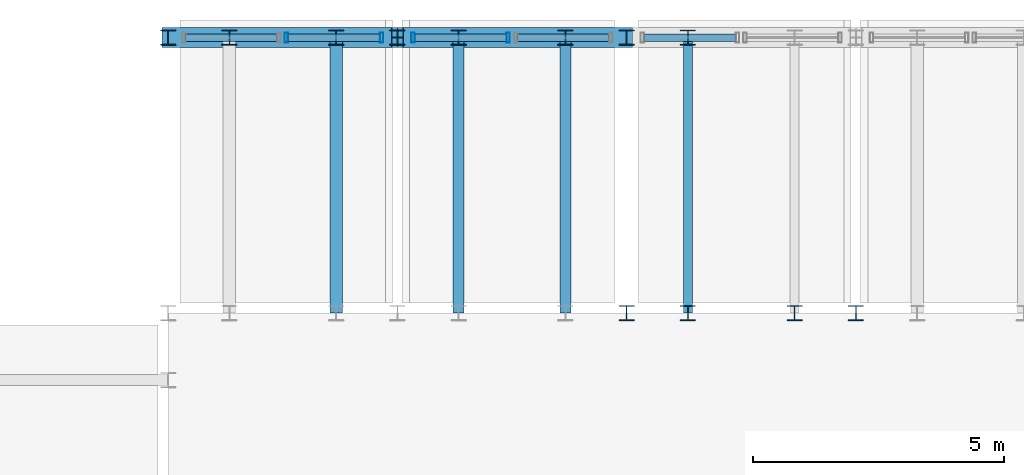
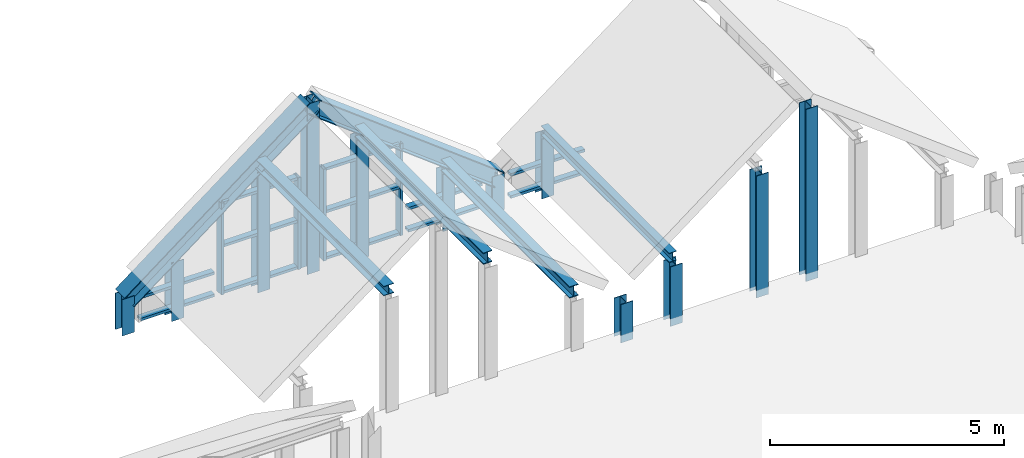
# One storey, part 9 of 21: 34 members, 5 elements without a shape of their own.
"""IFC4 building model written with IfcOpenShell, lengths in metres."""

from ifc_helpers import new_model, si_unit, direction, frame, origin, origin_2d, place, context, subcontext, project, spatial, hollow_rectangle, i_section, extrude, source, transform, mapped, material, layer, layer_set, material_profile, profile_set, type_object, element, aggregate, save


model = new_model("IFC4")

# Units and contexts
model_context = context("Model", 3, precision=1e-05, world=origin(), true_north=direction((0.0, 1.0)))
body_context = subcontext(model_context, "Body", "Model", "MODEL_VIEW")
ifc_project = project(units=[si_unit("LENGTHUNIT", "METRE"), si_unit("AREAUNIT", "SQUARE_METRE"), si_unit("VOLUMEUNIT", "CUBIC_METRE"), si_unit("PLANEANGLEUNIT", "RADIAN"), si_unit("MASSUNIT", "GRAM", prefix="KILO")], contexts=[model_context])

# Site, building, storey
site_placement = place(None, origin())
site = spatial("IfcSite", under=ifc_project, at=site_placement, CompositionType="ELEMENT")
building_placement = place(site_placement, origin())
building = spatial("IfcBuilding", under=site, at=building_placement, Name="Saelheon Loggia Tower", CompositionType="ELEMENT")
storey_placement = place(building_placement, frame((0.0, 0.0, 275.0)))
storey = spatial("IfcBuildingStorey", under=building, at=storey_placement, Name="ROOF", CompositionType="ELEMENT", Elevation=275.0)

# Members
ifc_material_1 = material(Name="Steel SM355", Category="steel")
ifc_material_profile_1 = material_profile(ifc_material_1, i_section(OverallWidth=0.300048828125, OverallDepth=0.300048828125, WebThickness=0.010009765625, FlangeThickness=0.014892578125, at=origin_2d()), Name="H-300x300x10x15")
ifc_profile_set_1 = profile_set([ifc_material_profile_1], Name="Steel SM355")
member_type_1 = type_object("IfcMemberType", Name="WaveCrest_Post_H300", PredefinedType="POST", material=ifc_profile_set_1)
shared_shape_1 = source(origin(), body_context, "Body", "SweptSolid", [
    extrude(i_section(OverallWidth=0.300048828125, OverallDepth=0.300048828125, WebThickness=0.010009765625, FlangeThickness=0.014892578125, at=origin_2d()), origin(), (0.0, 0.0, 1.0), 0.949951171875),
])
for number, where, z_axis, x_axis, name in (
    (1, (28.85009765625, 47.64990234375, -0.14990234375), (0.0, 0.0, 1.0), (1.0, 0.0, 0.0), "ROOF Wave Crest Outer Post N 00"),
    (2, (38.0, 47.64990234375, -0.14990234375), (0.0, 0.0, 1.0), (1.0, 0.0, 0.0), "ROOF Wave Crest Outer Post N 02"),
):
    element("IfcMember", number, at=place(storey_placement, frame(where, z_axis=z_axis, x_axis=x_axis)), inside=storey, type_object=member_type_1, Name=name, PredefinedType="POST", context=body_context, shape_type="MappedRepresentation", body=[
        mapped(shared_shape_1, transform((0.0, 0.0, 0.0), scale=1.0)),
    ])
ifc_material_profile_2 = material_profile(ifc_material_1, i_section(OverallWidth=0.300048828125, OverallDepth=0.300048828125, WebThickness=0.010009765625, FlangeThickness=0.014892578125, at=origin_2d()), Name="H-300x300x10x15")
ifc_profile_set_2 = profile_set([ifc_material_profile_2], Name="Steel SM355")
member_type_2 = type_object("IfcMemberType", Name="Belt_Post_H300", PredefinedType="POST", material=ifc_profile_set_2)
shared_shape_2 = source(origin(), body_context, "Body", "SweptSolid", [
    extrude(i_section(OverallWidth=0.300048828125, OverallDepth=0.300048828125, WebThickness=0.010009765625, FlangeThickness=0.014892578125, at=origin_2d()), origin(), (0.0, 0.0, 1.0), 1.0),
])
member_1_placement = place(storey_placement, frame((38.0, 42.14990234375, -0.199951171875), z_axis=(0.0, 0.0, 1.0), x_axis=(1.0, 0.0, 0.0)))
element("IfcMember", 3, at=member_1_placement, inside=storey, type_object=member_type_2, Name="ROOF Wave Crest Inner Post N 02", PredefinedType="POST", context=body_context, shape_type="MappedRepresentation", body=[
    mapped(shared_shape_2, transform((0.0, 0.0, 0.0), scale=1.0)),
])
shared_shape_3 = source(origin(), body_context, "Body", "SweptSolid", [
    extrude(i_section(OverallWidth=0.300048828125, OverallDepth=0.300048828125, WebThickness=0.010009765625, FlangeThickness=0.014892578125, at=origin_2d()), origin(), (0.0, 0.0, 1.0), 4.449951171875),
])
member_2_placement = place(storey_placement, frame((33.425048828125, 47.64990234375, -0.14990234375), z_axis=(0.0, 0.0, 1.0), x_axis=(1.0, 0.0, 0.0)))
element("IfcMember", 4, at=member_2_placement, inside=storey, type_object=member_type_1, Name="ROOF Wave Crest Outer Post N 01", PredefinedType="POST", context=body_context, shape_type="MappedRepresentation", body=[
    mapped(shared_shape_3, transform((0.0, 0.0, 0.0), scale=1.0)),
])
shared_shape_4 = source(origin(), body_context, "Body", "SweptSolid", [
    extrude(i_section(OverallWidth=0.300048828125, OverallDepth=0.300048828125, WebThickness=0.010009765625, FlangeThickness=0.014892578125, at=origin_2d()), origin(), (0.0, 0.0, 1.0), 4.5),
])
member_3_placement = place(storey_placement, frame((42.574951171875, 42.14990234375, -0.199951171875), z_axis=(0.0, 0.0, 1.0), x_axis=(1.0, 0.0, 0.0)))
element("IfcMember", 5, at=member_3_placement, inside=storey, type_object=member_type_2, Name="ROOF Wave Crest Inner Post N 03", PredefinedType="POST", context=body_context, shape_type="MappedRepresentation", body=[
    mapped(shared_shape_4, transform((0.0, 0.0, 0.0), scale=1.0)),
])
ifc_material_profile_3 = material_profile(ifc_material_1, i_section(OverallWidth=0.179931640625, OverallDepth=0.25, WebThickness=0.010009765625, FlangeThickness=0.01611328125, at=origin_2d()), Name="H-250x180x10x16")
ifc_profile_set_3 = profile_set([ifc_material_profile_3], Name="Steel SM355")
member_type_3 = type_object("IfcMemberType", Name="Roof_Purlin_RHS250", PredefinedType="PURLIN", material=ifc_profile_set_3)
shared_shape_5 = source(origin(), body_context, "Body", "SweptSolid", [
    extrude(i_section(OverallWidth=0.179931640625, OverallDepth=0.25, WebThickness=0.010009765625, FlangeThickness=0.01611328125, at=origin_2d()), origin(), (0.0, 0.0, 1.0), 5.5),
])
member_4_placement = place(storey_placement, frame((39.222900390625, 47.64990234375, 1.4814453125), z_axis=(0.0, -1.0, 0.0), x_axis=(1.0, 0.0, 0.0)))
element("IfcMember", 6, at=member_4_placement, inside=storey, type_object=member_type_3, Name="Crown Wave Roof Purlin 19 A", PredefinedType="PURLIN", context=body_context, shape_type="MappedRepresentation", body=[
    mapped(shared_shape_5, transform((0.0, 0.0, 0.0), scale=1.0)),
])
ifc_material_profile_4 = material_profile(ifc_material_1, i_section(OverallWidth=0.25, OverallDepth=0.25, WebThickness=0.009033203125, FlangeThickness=0.013916015625, at=origin_2d()), Name="H-250x250x9x14")
ifc_profile_set_4 = profile_set([ifc_material_profile_4], Name="Steel SM355")
member_type_4 = type_object("IfcMemberType", Name="Roof_Purlin_H250", PredefinedType="PURLIN", material=ifc_profile_set_4)
shared_shape_6 = source(origin(), body_context, "Body", "SweptSolid", [
    extrude(i_section(OverallWidth=0.25, OverallDepth=0.25, WebThickness=0.009033203125, FlangeThickness=0.013916015625, at=origin_2d()), origin(), (0.0, 0.0, 1.0), 5.5),
])
member_5_placement = place(storey_placement, frame((32.2021484375, 47.64990234375, 3.083740234375), z_axis=(0.0, -1.0, 0.0), x_axis=(1.0, 0.0, 0.0)))
element("IfcMember", 7, at=member_5_placement, inside=storey, type_object=member_type_4, Name="Crown Wave Roof Purlin 17 B", PredefinedType="PURLIN", context=body_context, shape_type="MappedRepresentation", body=[
    mapped(shared_shape_6, transform((0.0, 0.0, 0.0), scale=1.0)),
])
ifc_material_profile_5 = material_profile(ifc_material_1, i_section(OverallWidth=0.219970703125, OverallDepth=0.300048828125, WebThickness=0.011962890625, FlangeThickness=0.02001953125, at=origin_2d()), Name="H-300x220x12x20")
ifc_profile_set_5 = profile_set([ifc_material_profile_5], Name="Steel SM355")
member_type_5 = type_object("IfcMemberType", Name="Roof_Purlin_RHS300", PredefinedType="PURLIN", material=ifc_profile_set_5)
shared_shape_7 = source(origin(), body_context, "Body", "SweptSolid", [
    extrude(i_section(OverallWidth=0.219970703125, OverallDepth=0.300048828125, WebThickness=0.011962890625, FlangeThickness=0.02001953125, at=origin_2d()), origin(), (0.0, 0.0, 1.0), 5.5),
])
for number, where, z_axis, x_axis, name in (
    (8, (34.647705078125, 47.64990234375, 3.0703125), (0.0, -1.0, 0.0), (1.0, 0.0, 0.0), "Crown Wave Roof Purlin 18 A"),
    (9, (36.777099609375, 47.64990234375, 1.441162109375), (0.0, -1.0, 0.0), (1.0, 0.0, 0.0), "Crown Wave Roof Purlin 18 B"),
):
    element("IfcMember", number, at=place(storey_placement, frame(where, z_axis=z_axis, x_axis=x_axis)), inside=storey, type_object=member_type_5, Name=name, PredefinedType="PURLIN", context=body_context, shape_type="MappedRepresentation", body=[
        mapped(shared_shape_7, transform((0.0, 0.0, 0.0), scale=1.0)),
    ])
shared_shape_8 = source(origin(), body_context, "Body", "SweptSolid", [
    extrude(i_section(OverallWidth=0.300048828125, OverallDepth=0.300048828125, WebThickness=0.010009765625, FlangeThickness=0.014892578125, at=origin_2d()), origin(), (0.0, 0.0, 1.0), 1.556396484375),
])
for number, where, z_axis, x_axis, name in (
    (10, (39.222900390625, 47.64990234375, -0.199951171875), (0.0, 0.0, 1.0), (1.0, 0.0, 0.0), "Crown Wave Roof Purlin Support Post 19 A O"),
    (11, (39.222900390625, 42.14990234375, -0.199951171875), (0.0, 0.0, 1.0), (1.0, 0.0, 0.0), "Crown Wave Roof Purlin Support Post 19 A I"),
):
    element("IfcMember", number, at=place(storey_placement, frame(where, z_axis=z_axis, x_axis=x_axis)), inside=storey, type_object=member_type_2, Name=name, PredefinedType="POST", context=body_context, shape_type="MappedRepresentation", body=[
        mapped(shared_shape_8, transform((0.0, 0.0, 0.0), scale=1.0)),
    ])
shared_shape_9 = source(origin(), body_context, "Body", "SweptSolid", [
    extrude(i_section(OverallWidth=0.300048828125, OverallDepth=0.300048828125, WebThickness=0.010009765625, FlangeThickness=0.014892578125, at=origin_2d()), origin(), (0.0, 0.0, 1.0), 3.185546875),
])
member_6_placement = place(storey_placement, frame((41.352294921875, 42.14990234375, -0.199951171875), z_axis=(0.0, 0.0, 1.0), x_axis=(1.0, 0.0, 0.0)))
element("IfcMember", 12, at=member_6_placement, inside=storey, type_object=member_type_2, Name="Crown Wave Roof Purlin Support Post 19 B I", PredefinedType="POST", context=body_context, shape_type="MappedRepresentation", body=[
    mapped(shared_shape_9, transform((0.0, 0.0, 0.0), scale=1.0)),
])
shared_shape_10 = source(origin(), body_context, "Body", "SweptSolid", [
    extrude(i_section(OverallWidth=0.300048828125, OverallDepth=0.300048828125, WebThickness=0.010009765625, FlangeThickness=0.014892578125, at=origin_2d()), origin(), (0.0, 0.0, 1.0), 3.15869140625),
])
member_7_placement = place(storey_placement, frame((32.2021484375, 47.64990234375, -0.199951171875), z_axis=(0.0, 0.0, 1.0), x_axis=(1.0, 0.0, 0.0)))
element("IfcMember", 13, at=member_7_placement, inside=storey, type_object=member_type_2, Name="Crown Wave Roof Purlin Support Post 17 B O", PredefinedType="POST", context=body_context, shape_type="MappedRepresentation", body=[
    mapped(shared_shape_10, transform((0.0, 0.0, 0.0), scale=1.0)),
])
shared_shape_11 = source(origin(), body_context, "Body", "SweptSolid", [
    extrude(i_section(OverallWidth=0.300048828125, OverallDepth=0.300048828125, WebThickness=0.010009765625, FlangeThickness=0.014892578125, at=origin_2d()), origin(), (0.0, 0.0, 1.0), 1.529541015625),
])
member_8_placement = place(storey_placement, frame((30.07275390625, 47.64990234375, -0.199951171875), z_axis=(0.0, 0.0, 1.0), x_axis=(1.0, 0.0, 0.0)))
element("IfcMember", 14, at=member_8_placement, inside=storey, type_object=member_type_2, Name="Crown Wave Roof Purlin Support Post 17 A O", PredefinedType="POST", context=body_context, shape_type="MappedRepresentation", body=[
    mapped(shared_shape_11, transform((0.0, 0.0, 0.0), scale=1.0)),
])
shared_shape_12 = source(origin(), body_context, "Body", "SweptSolid", [
    extrude(i_section(OverallWidth=0.300048828125, OverallDepth=0.300048828125, WebThickness=0.010009765625, FlangeThickness=0.014892578125, at=origin_2d()), origin(), (0.0, 0.0, 1.0), 1.490966796875),
])
member_9_placement = place(storey_placement, frame((36.777099609375, 47.64990234375, -0.199951171875), z_axis=(0.0, 0.0, 1.0), x_axis=(1.0, 0.0, 0.0)))
element("IfcMember", 15, at=member_9_placement, inside=storey, type_object=member_type_2, Name="Crown Wave Roof Purlin Support Post 18 B O", PredefinedType="POST", context=body_context, shape_type="MappedRepresentation", body=[
    mapped(shared_shape_12, transform((0.0, 0.0, 0.0), scale=1.0)),
])
shared_shape_13 = source(origin(), body_context, "Body", "SweptSolid", [
    extrude(i_section(OverallWidth=0.300048828125, OverallDepth=0.300048828125, WebThickness=0.010009765625, FlangeThickness=0.014892578125, at=origin_2d()), origin(), (0.0, 0.0, 1.0), 3.1201171875),
])
member_10_placement = place(storey_placement, frame((34.647705078125, 47.64990234375, -0.199951171875), z_axis=(0.0, 0.0, 1.0), x_axis=(1.0, 0.0, 0.0)))
element("IfcMember", 16, at=member_10_placement, inside=storey, type_object=member_type_2, Name="Crown Wave Roof Purlin Support Post 18 A O", PredefinedType="POST", context=body_context, shape_type="MappedRepresentation", body=[
    mapped(shared_shape_13, transform((0.0, 0.0, 0.0), scale=1.0)),
])
ifc_material_profile_6 = material_profile(ifc_material_1, i_section(OverallWidth=0.39990234375, OverallDepth=0.39990234375, WebThickness=0.012939453125, FlangeThickness=0.02099609375, at=origin_2d()), Name="H-400x400x13x21")
ifc_profile_set_6 = profile_set([ifc_material_profile_6], Name="Steel SM355")
member_type_6 = type_object("IfcMemberType", Name="CrownFrame_Brace_H400", PredefinedType="BRACE", material=ifc_profile_set_6)
shared_shape_14 = source(origin(), body_context, "Body", "SweptSolid", [
    extrude(i_section(OverallWidth=0.39990234375, OverallDepth=0.39990234375, WebThickness=0.012939453125, FlangeThickness=0.02099609375, at=origin_2d()), origin(), (0.0, 0.0, 1.0), 5.76025390625),
])
for number, where, z_axis, x_axis, name in (
    (17, (28.85009765625, 47.64990234375, 0.699951171875), (0.794231497038, 0.0, 0.607615280513), (0.0, 1.0, 0.0), "ROOF CROWN FRAME Wave Crest Cap N 01"),
    (18, (33.425048828125, 47.64990234375, 4.199951171875), (0.794231497038, 0.0, -0.607615280513), (0.0, 1.0, 0.0), "ROOF CROWN FRAME Wave Crest Cap N 02"),
):
    element("IfcMember", number, at=place(storey_placement, frame(where, z_axis=z_axis, x_axis=x_axis)), inside=storey, type_object=member_type_6, Name=name, PredefinedType="BRACE", context=body_context, shape_type="MappedRepresentation", body=[
        mapped(shared_shape_14, transform((0.0, 0.0, 0.0), scale=1.0)),
    ])

# Curtain wall, members
ifc_material_2 = material(Name="Bronze-Anodised Aluminium and Fritted Ceramic Screen", Category="aluminium")
ifc_layer = layer(ifc_material_2, 0.219970703125)
ifc_layer_set = layer_set([ifc_layer], Name="Bronze-Anodised Aluminium and Fritted Ceramic Screen")
curtain_wall_type = type_object("IfcCurtainWallType", Name="CW_CrownScreen", PredefinedType="NOTDEFINED", material=ifc_layer_set)
curtain_wall_1_placement = place(storey_placement, origin())
curtain_wall_1 = element("IfcCurtainWall", 19, at=curtain_wall_1_placement, inside=storey, type_object=curtain_wall_type, Name="ROOF Wave Crest Curtain Wall N 01-2", PredefinedType="NOTDEFINED")
ifc_material_3 = material(Name="Bronze-Anodised Aluminium 6063-T6", Category="aluminium")
ifc_material_profile_7 = material_profile(ifc_material_3, hollow_rectangle(XDim=0.070068359375, YDim=0.199951171875, WallThickness=0.0048828125, at=origin_2d()), Name="RHS-200x70x5")
ifc_profile_set_7 = profile_set([ifc_material_profile_7], Name="Bronze-Anodised Aluminium 6063-T6")
member_type_7 = type_object("IfcMemberType", Name="CW_CrownScreen_Mullion", PredefinedType="MULLION", material=ifc_profile_set_7)
shared_shape_15 = source(origin(), body_context, "Body", "SweptSolid", [
    extrude(hollow_rectangle(XDim=0.070068359375, YDim=0.199951171875, WallThickness=0.0048828125, at=origin_2d()), origin(), (0.0, 0.0, 1.0), 2.39990234375),
])
member_11_placement = place(storey_placement, frame((31.21240234375, 47.64990234375, 0.02001953125), z_axis=(0.0, 0.0, 1.0), x_axis=(1.0, 0.0, 0.0)))
member_11 = element("IfcMember", 20, at=member_11_placement, type_object=member_type_7, Name="CW6 mullion 1", PredefinedType="MULLION", context=body_context, shape_type="MappedRepresentation", body=[
    mapped(shared_shape_15, transform((0.0, 0.0, 0.0), scale=1.0)),
])
member_12_placement = place(storey_placement, frame((33.110107421875, 47.64990234375, 0.02001953125), z_axis=(0.0, 0.0, 1.0), x_axis=(1.0, 0.0, 0.0)))
member_12 = element("IfcMember", 21, at=member_12_placement, type_object=member_type_7, Name="CW6 mullion 2", PredefinedType="MULLION", context=body_context, shape_type="MappedRepresentation", body=[
    mapped(shared_shape_15, transform((0.0, 0.0, 0.0), scale=1.0)),
])

curtain_wall_2_placement = place(storey_placement, origin())
curtain_wall_2 = element("IfcCurtainWall", 22, at=curtain_wall_2_placement, inside=storey, type_object=curtain_wall_type, Name="ROOF Wave Crest Curtain Wall N 02-1", PredefinedType="NOTDEFINED")
member_13_placement = place(storey_placement, frame((33.739990234375, 47.64990234375, 0.02001953125), z_axis=(0.0, 0.0, 1.0), x_axis=(1.0, 0.0, 0.0)))
member_13 = element("IfcMember", 23, at=member_13_placement, type_object=member_type_7, Name="CW6 mullion 1", PredefinedType="MULLION", context=body_context, shape_type="MappedRepresentation", body=[
    mapped(shared_shape_15, transform((0.0, 0.0, 0.0), scale=1.0)),
])
member_14_placement = place(storey_placement, frame((35.637451171875, 47.64990234375, 0.02001953125), z_axis=(0.0, 0.0, 1.0), x_axis=(1.0, 0.0, 0.0)))
member_14 = element("IfcMember", 24, at=member_14_placement, type_object=member_type_7, Name="CW6 mullion 2", PredefinedType="MULLION", context=body_context, shape_type="MappedRepresentation", body=[
    mapped(shared_shape_15, transform((0.0, 0.0, 0.0), scale=1.0)),
])

curtain_wall_3_placement = place(storey_placement, origin())
curtain_wall_3 = element("IfcCurtainWall", 25, at=curtain_wall_3_placement, inside=storey, type_object=curtain_wall_type, Name="ROOF Wave Crest Curtain Wall N 01-1", PredefinedType="NOTDEFINED")
ifc_material_profile_8 = material_profile(ifc_material_3, hollow_rectangle(XDim=0.070068359375, YDim=0.14990234375, WallThickness=0.0048828125, at=origin_2d()), Name="RHS-150x70x5")
ifc_profile_set_8 = profile_set([ifc_material_profile_8], Name="Bronze-Anodised Aluminium 6063-T6")
member_type_8 = type_object("IfcMemberType", Name="CW_CrownScreen_Transom", PredefinedType="USERDEFINED", material=ifc_profile_set_8)
shared_shape_16 = source(origin(), body_context, "Body", "SweptSolid", [
    extrude(hollow_rectangle(XDim=0.070068359375, YDim=0.14990234375, WallThickness=0.0048828125, at=origin_2d()), origin(), (0.0, 0.0, 1.0), 1.82763671875),
])
member_15_placement = place(storey_placement, frame((29.199951171875, 47.64990234375, 0.054931640625), z_axis=(1.0, 0.0, 0.0), x_axis=(0.0, 0.0, 1.0)))
member_15 = element("IfcMember", 26, at=member_15_placement, type_object=member_type_8, Name="CW6 transom 1.1", ObjectType="TRANSOM", PredefinedType="USERDEFINED", context=body_context, shape_type="MappedRepresentation", body=[
    mapped(shared_shape_16, transform((0.0, 0.0, 0.0), scale=1.0)),
])
member_16_placement = place(storey_placement, frame((29.199951171875, 47.64990234375, 0.635009765625), z_axis=(1.0, 0.0, 0.0), x_axis=(0.0, 0.0, 1.0)))
member_16 = element("IfcMember", 27, at=member_16_placement, type_object=member_type_8, Name="CW6 transom 1.2", ObjectType="TRANSOM", PredefinedType="USERDEFINED", context=body_context, shape_type="MappedRepresentation", body=[
    mapped(shared_shape_16, transform((0.0, 0.0, 0.0), scale=1.0)),
])
aggregate(curtain_wall_3, [member_15, member_16])

# Member
member_17_placement = place(storey_placement, frame((33.77490234375, 47.64990234375, 0.054931640625), z_axis=(1.0, 0.0, 0.0), x_axis=(0.0, 0.0, 1.0)))
member_17 = element("IfcMember", 28, at=member_17_placement, type_object=member_type_8, Name="CW6 transom 1.1", ObjectType="TRANSOM", PredefinedType="USERDEFINED", context=body_context, shape_type="MappedRepresentation", body=[
    mapped(shared_shape_16, transform((0.0, 0.0, 0.0), scale=1.0)),
])

member_18_placement = place(storey_placement, frame((33.77490234375, 47.64990234375, 1.27001953125), z_axis=(1.0, 0.0, 0.0), x_axis=(0.0, 0.0, 1.0)))
member_18 = element("IfcMember", 29, at=member_18_placement, type_object=member_type_8, Name="CW6 transom 1.2", ObjectType="TRANSOM", PredefinedType="USERDEFINED", context=body_context, shape_type="MappedRepresentation", body=[
    mapped(shared_shape_16, transform((0.0, 0.0, 0.0), scale=1.0)),
])

member_19_placement = place(storey_placement, frame((33.77490234375, 47.64990234375, 2.385009765625), z_axis=(1.0, 0.0, 0.0), x_axis=(0.0, 0.0, 1.0)))
member_19 = element("IfcMember", 30, at=member_19_placement, type_object=member_type_8, Name="CW6 transom 1.3", ObjectType="TRANSOM", PredefinedType="USERDEFINED", context=body_context, shape_type="MappedRepresentation", body=[
    mapped(shared_shape_16, transform((0.0, 0.0, 0.0), scale=1.0)),
])

aggregate(curtain_wall_2, [member_13, member_14, member_17, member_18, member_19])

shared_shape_17 = source(origin(), body_context, "Body", "SweptSolid", [
    extrude(hollow_rectangle(XDim=0.070068359375, YDim=0.14990234375, WallThickness=0.0048828125, at=origin_2d()), origin(), (0.0, 0.0, 1.0), 1.827392578125),
])
member_20_placement = place(storey_placement, frame((31.24755859375, 47.64990234375, 0.054931640625), z_axis=(1.0, 0.0, 0.0), x_axis=(0.0, 0.0, 1.0)))
member_20 = element("IfcMember", 31, at=member_20_placement, type_object=member_type_8, Name="CW6 transom 1.1", ObjectType="TRANSOM", PredefinedType="USERDEFINED", context=body_context, shape_type="MappedRepresentation", body=[
    mapped(shared_shape_17, transform((0.0, 0.0, 0.0), scale=1.0)),
])

member_21_placement = place(storey_placement, frame((31.24755859375, 47.64990234375, 1.27001953125), z_axis=(1.0, 0.0, 0.0), x_axis=(0.0, 0.0, 1.0)))
member_21 = element("IfcMember", 32, at=member_21_placement, type_object=member_type_8, Name="CW6 transom 1.2", ObjectType="TRANSOM", PredefinedType="USERDEFINED", context=body_context, shape_type="MappedRepresentation", body=[
    mapped(shared_shape_17, transform((0.0, 0.0, 0.0), scale=1.0)),
])

member_22_placement = place(storey_placement, frame((31.24755859375, 47.64990234375, 2.385009765625), z_axis=(1.0, 0.0, 0.0), x_axis=(0.0, 0.0, 1.0)))
member_22 = element("IfcMember", 33, at=member_22_placement, type_object=member_type_8, Name="CW6 transom 1.3", ObjectType="TRANSOM", PredefinedType="USERDEFINED", context=body_context, shape_type="MappedRepresentation", body=[
    mapped(shared_shape_17, transform((0.0, 0.0, 0.0), scale=1.0)),
])

aggregate(curtain_wall_1, [member_11, member_12, member_20, member_21, member_22])

# Curtain wall, members
curtain_wall_4_placement = place(storey_placement, origin())
curtain_wall_4 = element("IfcCurtainWall", 34, at=curtain_wall_4_placement, inside=storey, type_object=curtain_wall_type, Name="ROOF Wave Crest Curtain Wall N 02-2", PredefinedType="NOTDEFINED")
member_23_placement = place(storey_placement, frame((35.822509765625, 47.64990234375, 0.054931640625), z_axis=(1.0, 0.0, 0.0), x_axis=(0.0, 0.0, 1.0)))
member_23 = element("IfcMember", 35, at=member_23_placement, type_object=member_type_8, Name="CW6 transom 1.1", ObjectType="TRANSOM", PredefinedType="USERDEFINED", context=body_context, shape_type="MappedRepresentation", body=[
    mapped(shared_shape_17, transform((0.0, 0.0, 0.0), scale=1.0)),
])
member_24_placement = place(storey_placement, frame((35.822509765625, 47.64990234375, 0.635009765625), z_axis=(1.0, 0.0, 0.0), x_axis=(0.0, 0.0, 1.0)))
member_24 = element("IfcMember", 36, at=member_24_placement, type_object=member_type_8, Name="CW6 transom 1.2", ObjectType="TRANSOM", PredefinedType="USERDEFINED", context=body_context, shape_type="MappedRepresentation", body=[
    mapped(shared_shape_17, transform((0.0, 0.0, 0.0), scale=1.0)),
])
aggregate(curtain_wall_4, [member_23, member_24])

curtain_wall_5_placement = place(storey_placement, origin())
curtain_wall_5 = element("IfcCurtainWall", 37, at=curtain_wall_5_placement, inside=storey, type_object=curtain_wall_type, Name="ROOF Wave Crest Curtain Wall N 03-1", PredefinedType="NOTDEFINED")
member_25_placement = place(storey_placement, frame((38.35009765625, 47.64990234375, 0.054931640625), z_axis=(1.0, 0.0, 0.0), x_axis=(0.0, 0.0, 1.0)))
member_25 = element("IfcMember", 38, at=member_25_placement, type_object=member_type_8, Name="CW6 transom 1.1", ObjectType="TRANSOM", PredefinedType="USERDEFINED", context=body_context, shape_type="MappedRepresentation", body=[
    mapped(shared_shape_17, transform((0.0, 0.0, 0.0), scale=1.0)),
])
member_26_placement = place(storey_placement, frame((38.35009765625, 47.64990234375, 0.635009765625), z_axis=(1.0, 0.0, 0.0), x_axis=(0.0, 0.0, 1.0)))
member_26 = element("IfcMember", 39, at=member_26_placement, type_object=member_type_8, Name="CW6 transom 1.2", ObjectType="TRANSOM", PredefinedType="USERDEFINED", context=body_context, shape_type="MappedRepresentation", body=[
    mapped(shared_shape_17, transform((0.0, 0.0, 0.0), scale=1.0)),
])
aggregate(curtain_wall_5, [member_25, member_26])

save(model, "model.ifc")
